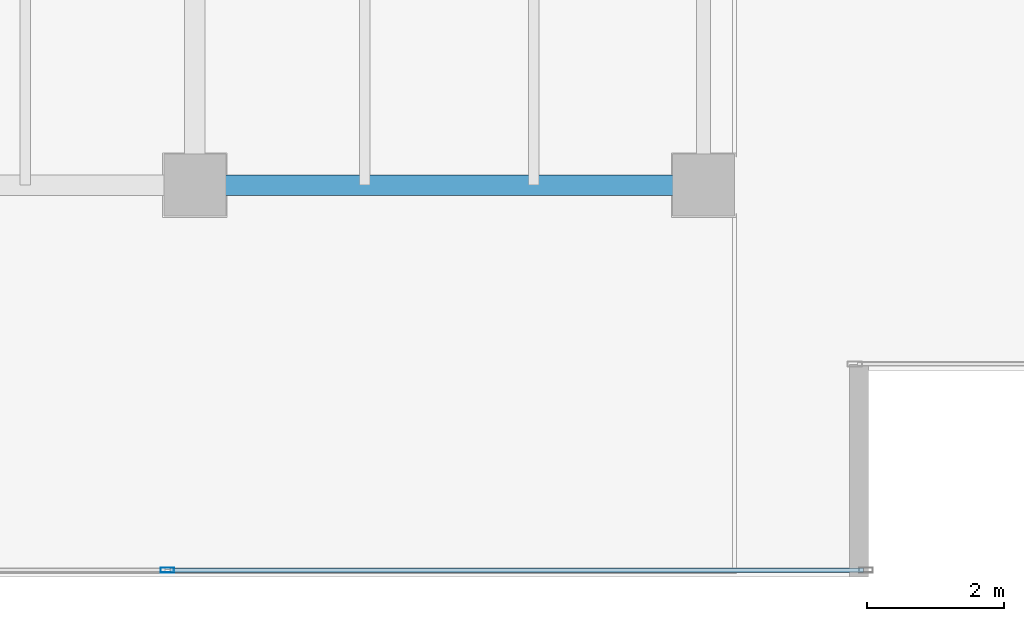
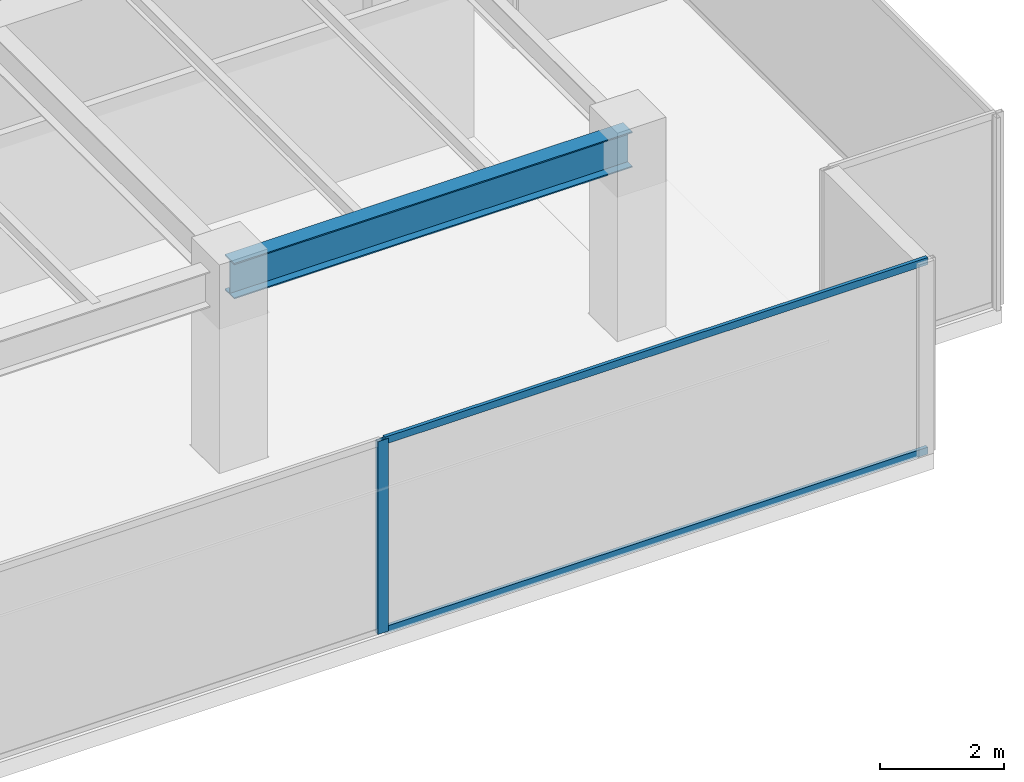
# One storey, part 12 of 33: 3 members, 1 beam, 1 element without a shape of its own.
"""IFC4 building model written with IfcOpenShell, lengths in metres."""

from ifc_helpers import new_model, si_unit, direction, frame, origin, origin_2d, place, context, subcontext, project, spatial, hollow_rectangle, i_section, extrude, source, transform, mapped, material, layer, layer_set, material_profile, profile_set, type_object, type_shapes, element, aggregate, save


model = new_model("IFC4")

# Units and contexts
model_context = context("Model", 3, precision=1e-05, world=origin(), true_north=direction((0.0, 1.0)))
body_context = subcontext(model_context, "Body", "Model", "MODEL_VIEW")
ifc_project = project(units=[si_unit("LENGTHUNIT", "METRE"), si_unit("AREAUNIT", "SQUARE_METRE"), si_unit("VOLUMEUNIT", "CUBIC_METRE"), si_unit("PLANEANGLEUNIT", "RADIAN"), si_unit("MASSUNIT", "GRAM", prefix="KILO")], contexts=[model_context])

# Site, building, storey
site_placement = place(None, origin())
site = spatial("IfcSite", under=ifc_project, at=site_placement, CompositionType="ELEMENT")
building_placement = place(site_placement, origin())
building = spatial("IfcBuilding", under=site, at=building_placement, Name="Haelvirn Gate Laboratories", CompositionType="ELEMENT")
storey_placement = place(building_placement, frame((0.0, 0.0, 137.89990234375)))
storey = spatial("IfcBuildingStorey", under=building, at=storey_placement, Name="L33", CompositionType="ELEMENT", Elevation=137.89990234375)

# Beam
ifc_material_1 = material(Name="Steel SM355", Category="steel")
ifc_material_profile_1 = material_profile(ifc_material_1, i_section(OverallWidth=0.300048828125, OverallDepth=0.699951171875, WebThickness=0.012939453125, FlangeThickness=0.02392578125, at=origin_2d()), Name="H-700x300x13x24")
ifc_profile_set_1 = profile_set([ifc_material_profile_1], Name="Steel SM355")
beam_type = type_object("IfcBeamType", Name="BM-G-700", PredefinedType="BEAM", material=ifc_profile_set_1)
shared_shape_1 = source(origin(), body_context, "Body", "SweptSolid", [
    extrude(i_section(OverallWidth=0.300048828125, OverallDepth=0.699951171875, WebThickness=0.012939453125, FlangeThickness=0.02392578125, at=origin_2d()), origin(), (0.0, 0.0, 1.0), 7.39990234375),
])
type_shapes(beam_type, [shared_shape_1])
beam_placement = place(storey_placement, frame((60.0, 7.0, 3.440185546875), z_axis=(1.0, 0.0, 0.0), x_axis=(0.0, 1.0, 0.0)))
element("IfcBeam", 1, at=beam_placement, inside=storey, type_object=beam_type, Name="L33 Primary Girder Y7.0 (60.0-67.4)", PredefinedType="BEAM", context=body_context, shape_type="MappedRepresentation", body=[
    mapped(shared_shape_1, transform((0.0, 0.0, 0.0), scale=1.0)),
])

# Curtain wall, members
ifc_material_2 = material(Name="Anodised bronze unitised aluminium & triple low-E glass", Category="aluminium")
ifc_layer = layer(ifc_material_2, 0.179931640625, Name="CW-SYS-3")
ifc_layer_set = layer_set([ifc_layer], Name="Anodised bronze unitised aluminium & triple low-E glass")
curtain_wall_type = type_object("IfcCurtainWallType", Name="CW-SYS-3", PredefinedType="NOTDEFINED", material=ifc_layer_set)
curtain_wall_placement = place(storey_placement, origin())
curtain_wall = element("IfcCurtainWall", 2, at=curtain_wall_placement, inside=storey, type_object=curtain_wall_type, Name="L33 Unitised Curtain Wall CW-L33-P0-E04-1", PredefinedType="NOTDEFINED")
ifc_material_3 = material(Name="Extruded aluminium 6063-T6 (anodised bronze)", Category="aluminium")
ifc_material_profile_2 = material_profile(ifc_material_3, hollow_rectangle(XDim=0.06494140625, YDim=0.139892578125, WallThickness=0.00390625, at=origin_2d()), Name="CWT-140x65x4")
ifc_profile_set_2 = profile_set([ifc_material_profile_2], Name="Extruded aluminium 6063-T6 (anodised bronze)")
member_type_1 = type_object("IfcMemberType", Name="CWT-T140", PredefinedType="USERDEFINED", material=ifc_profile_set_2)
shared_shape_2 = source(origin(), body_context, "Body", "SweptSolid", [
    extrude(hollow_rectangle(XDim=0.06494140625, YDim=0.139892578125, WallThickness=0.00390625, at=origin_2d()), origin(), (0.0, 0.0, 1.0), 10.087646484375),
])
type_shapes(member_type_1, [shared_shape_2])
member_1_placement = place(storey_placement, frame((59.637451171875, 1.39990234375, 0.03271484375), z_axis=(1.0, 0.0, 0.0), x_axis=(0.0, 1.0, 0.0)))
member_1 = element("IfcMember", 3, at=member_1_placement, type_object=member_type_1, Name="CW3 transom 2.1", ObjectType="TRANSOM", PredefinedType="USERDEFINED", context=body_context, shape_type="MappedRepresentation", body=[
    mapped(shared_shape_2, transform((0.0, 0.0, 0.0), scale=1.0)),
])
member_2_placement = place(storey_placement, frame((59.637451171875, 1.39990234375, 3.757568359375), z_axis=(1.0, 0.0, 0.0), x_axis=(0.0, 1.0, 0.0)))
member_2 = element("IfcMember", 4, at=member_2_placement, type_object=member_type_1, Name="CW3 transom 2.2", ObjectType="TRANSOM", PredefinedType="USERDEFINED", context=body_context, shape_type="MappedRepresentation", body=[
    mapped(shared_shape_2, transform((0.0, 0.0, 0.0), scale=1.0)),
])
ifc_material_profile_3 = material_profile(ifc_material_3, hollow_rectangle(XDim=0.074951171875, YDim=0.199951171875, WallThickness=0.0048828125, at=origin_2d()), Name="CWM-200x75x5")
ifc_profile_set_3 = profile_set([ifc_material_profile_3], Name="Extruded aluminium 6063-T6 (anodised bronze)")
member_type_2 = type_object("IfcMemberType", Name="CWM-T200", PredefinedType="MULLION", material=ifc_profile_set_3)
shared_shape_3 = source(origin(), body_context, "Body", "SweptSolid", [
    extrude(hollow_rectangle(XDim=0.074951171875, YDim=0.199951171875, WallThickness=0.0048828125, at=origin_2d()), origin(), (0.0, 0.0, 1.0), 3.7900390625),
])
type_shapes(member_type_2, [shared_shape_3])
member_3_placement = place(storey_placement, frame((59.60009765625, 1.39990234375, 0.0), z_axis=(0.0, 0.0, 1.0), x_axis=(0.0, 1.0, 0.0)))
member_3 = element("IfcMember", 5, at=member_3_placement, type_object=member_type_2, Name="CW3 mullion 2", PredefinedType="MULLION", context=body_context, shape_type="MappedRepresentation", body=[
    mapped(shared_shape_3, transform((0.0, 0.0, 0.0), scale=1.0)),
])
aggregate(curtain_wall, [member_3, member_1, member_2])

save(model, "model.ifc")
